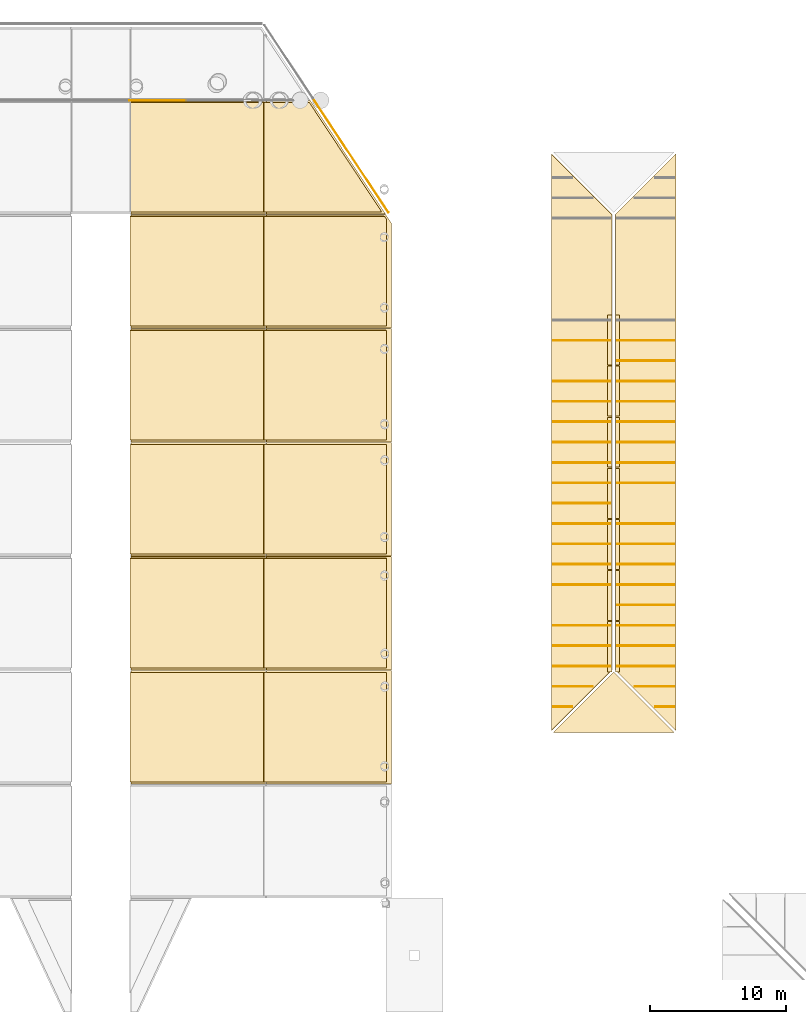
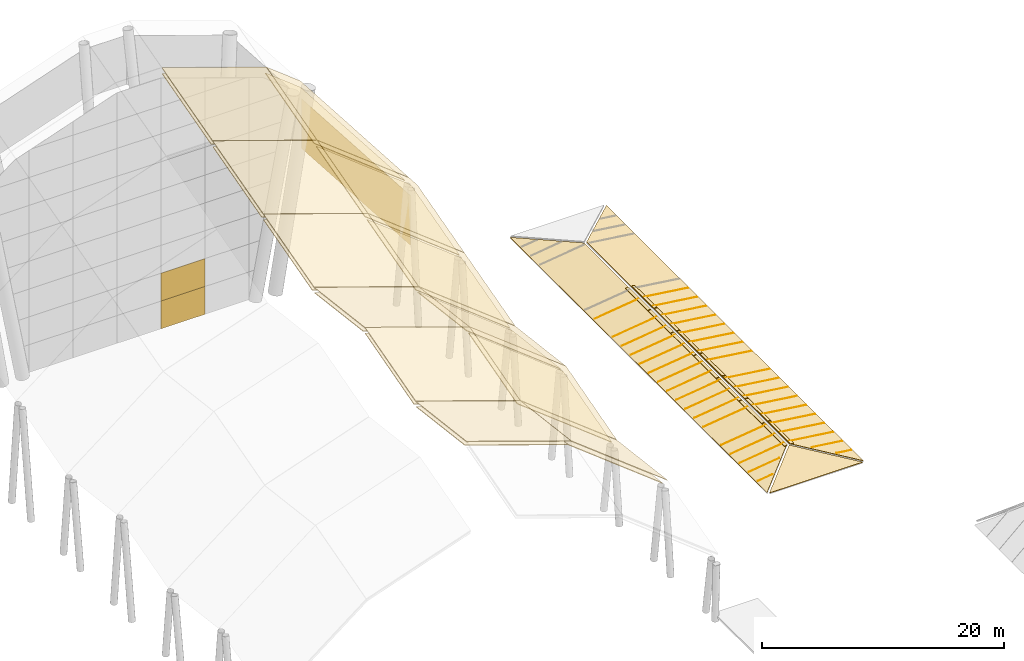
# One storey, part 7 of 8: 79 coverings.
"""IFC4 building model written with IfcOpenShell, lengths in metres."""

from ifc_helpers import new_model, si_unit, direction, frame, origin, place, context, subcontext, project, spatial, polyline, outline, extrude, material, layer, layer_set, type_object, element, save


model = new_model("IFC4")

# Units and contexts
model_context = context("Model", 3, precision=1e-05, world=origin(), true_north=direction((0.0, 1.0)))
body_context = subcontext(model_context, "Body", "Model", "MODEL_VIEW")
ifc_project = project(units=[si_unit("LENGTHUNIT", "METRE"), si_unit("AREAUNIT", "SQUARE_METRE"), si_unit("VOLUMEUNIT", "CUBIC_METRE"), si_unit("PLANEANGLEUNIT", "RADIAN"), si_unit("MASSUNIT", "GRAM", prefix="KILO")], contexts=[model_context])

# Site, building, storey
site_placement = place(None, origin())
site = spatial("IfcSite", under=ifc_project, at=site_placement, CompositionType="ELEMENT")
building_placement = place(site_placement, origin())
building = spatial("IfcBuilding", under=site, at=building_placement, Name="Sava Quay Ferry Terminal", CompositionType="ELEMENT")
storey_placement = place(building_placement, frame((0.0, 0.0, 18.0)))
storey = spatial("IfcBuildingStorey", under=building, at=storey_placement, Name="ROOF", CompositionType="ELEMENT", Elevation=18.0)

# Coverings
ifc_material_1 = material(Name="Glulam GL28h", Category="wood")
ifc_layer_1 = layer(ifc_material_1, 0.06005859375)
ifc_layer_set_1 = layer_set([ifc_layer_1], Name="Glulam GL28h")
covering_type_1 = type_object("IfcCoveringType", Name="Glulam soffit lining 60", PredefinedType="CEILING", material=ifc_layer_set_1)
covering_1_placement = place(storey_placement, frame((65.1591796875, 58.958740234375, 18.533447265625), z_axis=(0.323336229027, 0.116597025804, 0.939073381889), x_axis=(-4.550886e-06, 0.992380109283, -0.123214117208)))
element("IfcCovering", 1, at=covering_1_placement, inside=storey, type_object=covering_type_1, Name="Departure hall timber soffit lining bay 2 facet 4", PredefinedType="CEILING", context=body_context, shape_type="SweptSolid", body=[
    extrude(outline(polyline([(0.0, 0.0), (8.144566874911606, 5.551115123125783e-17), (8.562234771252694, -10.404636010580912), (0.4176378147695037, -10.404557672452759), (0.0, 0.0)])), origin(), (0.0, 0.0, -1.0), 0.06005859375),
])
covering_2_placement = place(storey_placement, frame((75.022216796875, 58.958740234375, 15.134033203125), z_axis=(0.612740245307, 0.097387075866, 0.784260893604), x_axis=(0.0, 0.992378084915, -0.123230420682)))
element("IfcCovering", 2, at=covering_2_placement, inside=storey, type_object=covering_type_1, Name="Departure hall timber soffit lining bay 2 facet 5", PredefinedType="CEILING", context=body_context, shape_type="SweptSolid", body=[
    extrude(outline(polyline([(0.0, 0.0), (8.144596957666648, 0.0), (9.014520691555138, -11.433100144625836), (0.8699237338884902, -11.433100144625836), (0.0, 0.0)])), origin(), (0.0, 0.0, -1.0), 0.06005859375),
])
covering_3_placement = place(storey_placement, frame((65.157958984375, 67.35400390625, 17.562744140625), z_axis=(0.314676338328, -0.25642845335, 0.913905493149), x_axis=(0.0, 0.962817557191, 0.270152459854)))
element("IfcCovering", 3, at=covering_3_placement, inside=storey, type_object=covering_type_1, Name="Departure hall timber soffit lining bay 3 facet 4", PredefinedType="CEILING", context=body_context, shape_type="SweptSolid", body=[
    extrude(outline(polyline([(0.0, 0.0), (8.404542434016312, 0.0), (7.488886525774535, -10.370585798684502), (-0.9156559082417766, -10.3705857986845), (0.0, 0.0)])), origin(), (0.0, 0.0, -1.0), 0.06005859375),
])
covering_4_placement = place(storey_placement, frame((75.01904296875, 67.35400390625, 14.163818359375), z_axis=(0.601145154914, -0.215889596729, 0.769425879957), x_axis=(0.0, 0.962817557191, 0.270152459854)))
element("IfcCovering", 4, at=covering_4_placement, inside=storey, type_object=covering_type_1, Name="Departure hall timber soffit lining bay 3 facet 5", PredefinedType="CEILING", context=body_context, shape_type="SweptSolid", body=[
    extrude(outline(polyline([(0.0, 0.0), (8.404542434016312, 0.0), (6.4975140589602915, -11.30610146613597), (-1.9070283750560204, -11.306101466135969), (0.0, 0.0)])), origin(), (0.0, 0.0, -1.0), 0.06005859375),
])
covering_5_placement = place(storey_placement, frame((65.1591796875, 75.7587890625, 19.84765625), z_axis=(0.323350396103, 0.116498655419, 0.939080712519), x_axis=(0.0, 0.992392741197, -0.123112335773)))
element("IfcCovering", 5, at=covering_5_placement, inside=storey, type_object=covering_type_1, Name="Departure hall timber soffit lining bay 4 facet 4", PredefinedType="CEILING", context=body_context, shape_type="SweptSolid", body=[
    extrude(outline(polyline([(0.0, 0.0), (8.144476673117172, 0.0), (8.561844323151812, -10.40464805950477), (0.4173676500346407, -10.404648059504769), (0.0, 0.0)])), origin(), (0.0, 0.0, -1.0), 0.06005859375),
])
covering_6_placement = place(storey_placement, frame((75.022216796875, 75.7587890625, 16.447998046875), z_axis=(0.612742880361, 0.097281838337, 0.784271895771), x_axis=(-7.202668e-06, 0.99239525968, -0.123092032694)))
element("IfcCovering", 6, at=covering_6_placement, inside=storey, type_object=covering_type_1, Name="Departure hall timber soffit lining bay 4 facet 5", PredefinedType="CEILING", context=body_context, shape_type="SweptSolid", body=[
    extrude(outline(polyline([(0.0, 0.0), (8.144446619435648, 0.0), (9.013358398396889, -11.43352077898389), (0.8688817271954468, -11.433372321017444), (0.0, 0.0)])), origin(), (0.0, 0.0, -1.0), 0.06005859375),
])
covering_7_placement = place(storey_placement, frame((65.157958984375, 84.154296875, 18.876220703125), z_axis=(0.315199027019, -0.25041905939, 0.915390554933), x_axis=(-4.198648e-06, 0.964557978091, 0.263871004249)))
element("IfcCovering", 7, at=covering_7_placement, inside=storey, type_object=covering_type_1, Name="Departure hall timber soffit lining bay 5 facet 4", PredefinedType="CEILING", context=body_context, shape_type="SweptSolid", body=[
    extrude(outline(polyline([(0.0, 0.0), (8.38864719370546, 0.0), (7.494175926014306, -10.372514243477077), (-0.8944068460592561, -10.37244001821224), (0.0, 0.0)])), origin(), (0.0, 0.0, -1.0), 0.06005859375),
])
covering_8_placement = place(storey_placement, frame((75.01904296875, 84.154296875, 15.477294921875), z_axis=(0.601834848765, -0.210731737619, 0.770316136123), x_axis=(-6.746281e-06, 0.96455700453, 0.263874562939)))
element("IfcCovering", 8, at=covering_8_placement, inside=storey, type_object=covering_type_1, Name="Departure hall timber soffit lining bay 5 facet 5", PredefinedType="CEILING", context=body_context, shape_type="SweptSolid", body=[
    extrude(outline(polyline([(0.0, 0.0), (8.388647193922665, 0.0), (6.525809630322505, -11.313813787694396), (-1.8627731410994421, -11.313672063427479), (0.0, 0.0)])), origin(), (0.0, 0.0, -1.0), 0.06005859375),
])
covering_9_placement = place(storey_placement, frame((65.157958984375, 92.554443359375, 21.17431640625), z_axis=(0.315199027019, -0.25041905939, 0.915390554933), x_axis=(4.19868e-06, 0.964558714023, 0.263868314099)))
element("IfcCovering", 9, at=covering_9_placement, inside=storey, type_object=covering_type_1, Name="Departure hall timber soffit lining bay 6 facet 4", PredefinedType="CEILING", context=body_context, shape_type="SweptSolid", body=[
    extrude(outline(polyline([(0.0, 0.0), (8.38858277240195, 0.0), (7.494267705540917, -10.372447931846839), (-0.8943794878361551, -10.3725221576817), (0.0, 0.0)])), origin(), (0.0, 0.0, -1.0), 0.06005859375),
])
covering_10_placement = place(storey_placement, frame((75.01904296875, 92.554443359375, 17.775390625), z_axis=(0.601835831185, -0.210733081527, 0.770315000926), x_axis=(7.706761e-06, 0.964559351254, 0.263865984638)))
element("IfcCovering", 10, at=covering_10_placement, inside=storey, type_object=covering_type_1, Name="Departure hall timber soffit lining bay 6 facet 5", PredefinedType="CEILING", context=body_context, shape_type="SweptSolid", body=[
    extrude(outline(polyline([(0.0, 0.0), (8.388582772458415, -2.220446049250313e-16), (6.554344694828603, -11.141573043487647), (6.310590428062946, -11.313733125170547), (-1.8626464175514255, -11.313845258666817), (0.0, 0.0)])), origin(), (0.0, 0.0, -1.0), 0.06005859375),
])
covering_11_placement = place(storey_placement, frame((65.157958984375, 100.954345703125, 23.47216796875), z_axis=(0.315199027019, -0.25041905939, 0.915390554933), x_axis=(-4.198648e-06, 0.964557978091, 0.263871004249)))
element("IfcCovering", 11, at=covering_11_placement, inside=storey, type_object=covering_type_1, Name="Departure hall timber soffit lining bay 7 facet 4", PredefinedType="CEILING", context=body_context, shape_type="SweptSolid", body=[
    extrude(outline(polyline([(0.0, 0.0), (8.38864719370546, 0.0), (7.494175926014306, -10.372514243477077), (-0.8944068460592561, -10.37244001821224), (0.0, 0.0)])), origin(), (0.0, 0.0, -1.0), 0.06005859375),
])
covering_12_placement = place(storey_placement, frame((75.01904296875, 100.954345703125, 20.0732421875), z_axis=(0.601825375367, -0.210746119595, 0.770319602918), x_axis=(1.051901e-06, 0.964554273916, 0.263884544202)))
element("IfcCovering", 12, at=covering_12_placement, inside=storey, type_object=covering_type_1, Name="Departure hall timber soffit lining bay 7 facet 5", PredefinedType="CEILING", context=body_context, shape_type="SweptSolid", body=[
    extrude(outline(polyline([(0.0, 0.0), (8.388647194436883, -2.220446049250313e-16), (7.69994812598826, -4.182885260178561), (-1.7923570424972928, -10.88599640084361), (0.0, 0.0)])), origin(), (0.0, 0.0, -1.0), 0.06005859375),
])
ifc_material_2 = material(Name="Zinc standing seam sheet")
ifc_layer_2 = layer(ifc_material_2, 0.050048828125)
ifc_layer_set_2 = layer_set([ifc_layer_2], Name="Zinc standing seam sheet")
covering_type_2 = type_object("IfcCoveringType", Name="Prow edge apron zinc 50", PredefinedType="CLADDING", material=ifc_layer_set_2)
covering_13_placement = place(storey_placement, frame((84.220947265625, 100.9462890625, 6.58642578125), z_axis=(0.833995524919, 0.551771206584, 0.0), x_axis=(-0.460672089896, 0.696300308613, 0.550406309753)))
element("IfcCovering", 13, at=covering_13_placement, inside=storey, type_object=covering_type_2, Name="Departure hall prow edge apron 3", PredefinedType="CLADDING", context=body_context, shape_type="SweptSolid", body=[
    extrude(outline(polyline([(0.0, 0.0), (12.063620021192186, -8.881784197001252e-16), (14.81565156995644, 4.1744846813236975), (2.752031548764255, 4.1744846813236975), (0.0, 0.0)])), origin(), (0.0, 0.0, -1.0), 0.050048828125),
])
ifc_material_3 = material(Name="Laminated glass", Category="glass")
ifc_layer_3 = layer(ifc_material_3, 0.0400390625)
ifc_layer_set_3 = layer_set([ifc_layer_3], Name="Laminated glass")
covering_type_3 = type_object("IfcCoveringType", Name="Prow end glazing 40", PredefinedType="CLADDING", material=ifc_layer_set_3)
covering_14_placement = place(storey_placement, frame((65.10009765625, 109.199951171875, -0.179931640625), z_axis=(0.0, 1.0, 0.0), x_axis=(0.0, 0.0, 1.0)))
element("IfcCovering", 14, at=covering_14_placement, inside=storey, type_object=covering_type_3, Name="Departure hall prow end glazing panel 20", PredefinedType="CLADDING", context=body_context, shape_type="SweptSolid", body=[
    extrude(outline(polyline([(0.0, 0.0), (2.813232421875, 0.0), (2.813232421875, 4.199951171875), (0.0, 4.199951171875), (0.0, 0.0)])), origin(), (0.0, 0.0, -1.0), 0.0400390625),
])
covering_15_placement = place(storey_placement, frame((65.10009765625, 109.199951171875, 2.63330078125), z_axis=(0.0, 1.0, 0.0), x_axis=(0.0, 0.0, 1.0)))
element("IfcCovering", 15, at=covering_15_placement, inside=storey, type_object=covering_type_3, Name="Departure hall prow end glazing panel 27", PredefinedType="CLADDING", context=body_context, shape_type="SweptSolid", body=[
    extrude(outline(polyline([(0.0, 0.0), (2.8134765625, 0.0), (2.8134765625, 4.199951171875), (0.0, 4.199951171875), (0.0, 0.0)])), origin(), (0.0, 0.0, -1.0), 0.0400390625),
])
ifc_material_4 = material(Name="Zinc standing seam")
ifc_layer_4 = layer(ifc_material_4, 0.06005859375)
ifc_layer_set_4 = layer_set([ifc_layer_4], Name="Zinc standing seam")
covering_type_4 = type_object("IfcCoveringType", Name="Roof ridge roll 300", PredefinedType="ROOFING", material=ifc_layer_set_4)
covering_16_placement = place(storey_placement, frame((100.941650390625, 67.06494140625, 1.20166015625), z_axis=(0.129891011138, 0.0, 0.991528277572), x_axis=(0.0, 1.0, 0.0)))
element("IfcCovering", 16, at=covering_16_placement, inside=storey, type_object=covering_type_4, Name="Ridge roll", PredefinedType="ROOFING", context=body_context, shape_type="SweptSolid", body=[
    extrude(outline(polyline([(0.0, 0.0), (3.723388671875, 0.0), (3.723388671875, -0.302612477033596), (0.0, -0.302612477033596), (0.0, 0.0)])), origin(), (0.0, 0.0, -1.0), 0.06005859375),
])
for number, where, z_axis, x_axis, name in (
    (17, (100.941650390625, 70.868408203125, 1.20166015625), (0.129891011138, 0.0, 0.991528277572), (0.0, 1.0, 0.0), "Ridge roll"),
    (18, (100.941650390625, 74.631591796875, 1.20166015625), (0.129891011138, 0.0, 0.991528277572), (0.0, 1.0, 0.0), "Ridge roll"),
    (19, (100.941650390625, 78.39501953125, 1.20166015625), (0.129891011138, 0.0, 0.991528277572), (0.0, 1.0, 0.0), "Ridge roll"),
):
    element("IfcCovering", number, at=place(storey_placement, frame(where, z_axis=z_axis, x_axis=x_axis)), inside=storey, type_object=covering_type_4, Name=name, PredefinedType="ROOFING", context=body_context, shape_type="SweptSolid", body=[
        extrude(outline(polyline([(0.0, 0.0), (3.683349609375, 0.0), (3.683349609375, -0.302612477033596), (0.0, -0.302612477033596), (0.0, 0.0)])), origin(), (0.0, 0.0, -1.0), 0.06005859375),
    ])
covering_17_placement = place(storey_placement, frame((100.941650390625, 82.158203125, 1.20166015625), z_axis=(0.129891011138, 0.0, 0.991528277572), x_axis=(0.0, 1.0, 0.0)))
element("IfcCovering", 20, at=covering_17_placement, inside=storey, type_object=covering_type_4, Name="Ridge roll", PredefinedType="ROOFING", context=body_context, shape_type="SweptSolid", body=[
    extrude(outline(polyline([(0.0, 0.0), (3.68359375, 0.0), (3.68359375, -0.30261247703359606), (0.0, -0.30261247703359606), (0.0, 0.0)])), origin(), (0.0, 0.0, -1.0), 0.06005859375),
])
for number, where, z_axis, x_axis, name in (
    (21, (100.941650390625, 85.921630859375, 1.20166015625), (0.129891011138, 0.0, 0.991528277572), (0.0, 1.0, 0.0), "Ridge roll"),
    (22, (100.941650390625, 89.68505859375, 1.20166015625), (0.129891011138, 0.0, 0.991528277572), (0.0, 1.0, 0.0), "Ridge roll"),
):
    element("IfcCovering", number, at=place(storey_placement, frame(where, z_axis=z_axis, x_axis=x_axis)), inside=storey, type_object=covering_type_4, Name=name, PredefinedType="ROOFING", context=body_context, shape_type="SweptSolid", body=[
        extrude(outline(polyline([(0.0, 0.0), (3.683349609375, 0.0), (3.683349609375, -0.302612477033596), (0.0, -0.302612477033596), (0.0, 0.0)])), origin(), (0.0, 0.0, -1.0), 0.06005859375),
    ])
covering_18_placement = place(storey_placement, frame((100.3583984375, 67.06494140625, 1.162353515625), z_axis=(-0.129891011138, 0.0, 0.991528277572), x_axis=(0.0, 1.0, 0.0)))
element("IfcCovering", 23, at=covering_18_placement, inside=storey, type_object=covering_type_4, Name="Ridge roll", PredefinedType="ROOFING", context=body_context, shape_type="SweptSolid", body=[
    extrude(outline(polyline([(0.0, 0.0), (3.723388671875, 0.0), (3.723388671875, -0.302612477033596), (0.0, -0.302612477033596), (0.0, 0.0)])), origin(), (0.0, 0.0, -1.0), 0.06005859375),
])
for number, where, z_axis, x_axis, name in (
    (24, (100.3583984375, 70.868408203125, 1.162353515625), (-0.129891011138, 0.0, 0.991528277572), (0.0, 1.0, 0.0), "Ridge roll"),
    (25, (100.3583984375, 74.631591796875, 1.162353515625), (-0.129891011138, 0.0, 0.991528277572), (0.0, 1.0, 0.0), "Ridge roll"),
    (26, (100.3583984375, 78.39501953125, 1.162353515625), (-0.129891011138, 0.0, 0.991528277572), (0.0, 1.0, 0.0), "Ridge roll"),
):
    element("IfcCovering", number, at=place(storey_placement, frame(where, z_axis=z_axis, x_axis=x_axis)), inside=storey, type_object=covering_type_4, Name=name, PredefinedType="ROOFING", context=body_context, shape_type="SweptSolid", body=[
        extrude(outline(polyline([(0.0, 0.0), (3.683349609375, 0.0), (3.683349609375, -0.302612477033596), (0.0, -0.302612477033596), (0.0, 0.0)])), origin(), (0.0, 0.0, -1.0), 0.06005859375),
    ])
covering_19_placement = place(storey_placement, frame((100.3583984375, 82.158203125, 1.162353515625), z_axis=(-0.129891011138, 0.0, 0.991528277572), x_axis=(0.0, 1.0, 0.0)))
element("IfcCovering", 27, at=covering_19_placement, inside=storey, type_object=covering_type_4, Name="Ridge roll", PredefinedType="ROOFING", context=body_context, shape_type="SweptSolid", body=[
    extrude(outline(polyline([(0.0, 0.0), (3.68359375, 0.0), (3.68359375, -0.30261247703359606), (0.0, -0.30261247703359606), (0.0, 0.0)])), origin(), (0.0, 0.0, -1.0), 0.06005859375),
])
for number, where, z_axis, x_axis, name in (
    (28, (100.3583984375, 85.921630859375, 1.162353515625), (-0.129891011138, 0.0, 0.991528277572), (0.0, 1.0, 0.0), "Ridge roll"),
    (29, (100.3583984375, 89.68505859375, 1.162353515625), (-0.129891011138, 0.0, 0.991528277572), (0.0, 1.0, 0.0), "Ridge roll"),
):
    element("IfcCovering", number, at=place(storey_placement, frame(where, z_axis=z_axis, x_axis=x_axis)), inside=storey, type_object=covering_type_4, Name=name, PredefinedType="ROOFING", context=body_context, shape_type="SweptSolid", body=[
        extrude(outline(polyline([(0.0, 0.0), (3.683349609375, 0.0), (3.683349609375, -0.302612477033596), (0.0, -0.302612477033596), (0.0, 0.0)])), origin(), (0.0, 0.0, -1.0), 0.06005859375),
    ])
ifc_material_5 = material(Name="Zinc standing seam")
ifc_layer_5 = layer(ifc_material_5, 0.0400390625)
ifc_layer_set_5 = layer_set([ifc_layer_5], Name="Zinc standing seam")
covering_type_5 = type_object("IfcCoveringType", Name="Roof seam rib 60", PredefinedType="ROOFING", material=ifc_layer_set_5)
for number, where, z_axis, x_axis, name in (
    (30, (105.25439453125, 91.469970703125, 0.61669921875), (0.129866150834, 0.0, 0.991531533975), (-0.991531533975, 0.0, 0.129866150834), "Roof seam rib"),
    (31, (105.25439453125, 89.969970703125, 0.61669921875), (0.129866150834, 0.0, 0.991531533975), (-0.991531533975, 0.0, 0.129866150834), "Roof seam rib"),
    (32, (105.25439453125, 88.469970703125, 0.61669921875), (0.129866150834, 0.0, 0.991531533975), (-0.991531533975, 0.0, 0.129866150834), "Roof seam rib"),
    (33, (105.25439453125, 86.969970703125, 0.61669921875), (0.129866150834, 0.0, 0.991531533975), (-0.991531533975, 0.0, 0.129866150834), "Roof seam rib"),
    (34, (105.25439453125, 85.469970703125, 0.61669921875), (0.129866150834, 0.0, 0.991531533975), (-0.991531533975, 0.0, 0.129866150834), "Roof seam rib"),
    (35, (105.25439453125, 83.969970703125, 0.61669921875), (0.129866150834, 0.0, 0.991531533975), (-0.991531533975, 0.0, 0.129866150834), "Roof seam rib"),
    (36, (105.25439453125, 82.469970703125, 0.61669921875), (0.129866150834, 0.0, 0.991531533975), (-0.991531533975, 0.0, 0.129866150834), "Roof seam rib"),
    (37, (105.25439453125, 80.969970703125, 0.61669921875), (0.129866150834, 0.0, 0.991531533975), (-0.991531533975, 0.0, 0.129866150834), "Roof seam rib"),
    (38, (105.25439453125, 77.969970703125, 0.61669921875), (0.129866150834, 0.0, 0.991531533975), (-0.991531533975, 0.0, 0.129866150834), "Roof seam rib"),
    (39, (105.25439453125, 76.469970703125, 0.61669921875), (0.129866150834, 0.0, 0.991531533975), (-0.991531533975, 0.0, 0.129866150834), "Roof seam rib"),
    (40, (105.25439453125, 74.969970703125, 0.61669921875), (0.129866150834, 0.0, 0.991531533975), (-0.991531533975, 0.0, 0.129866150834), "Roof seam rib"),
    (41, (105.25439453125, 73.469970703125, 0.61669921875), (0.129866150834, 0.0, 0.991531533975), (-0.991531533975, 0.0, 0.129866150834), "Roof seam rib"),
    (42, (105.25439453125, 71.969970703125, 0.61669921875), (0.129866150834, 0.0, 0.991531533975), (-0.991531533975, 0.0, 0.129866150834), "Roof seam rib"),
    (43, (105.25439453125, 70.469970703125, 0.61669921875), (0.129866150834, 0.0, 0.991531533975), (-0.991531533975, 0.0, 0.129866150834), "Roof seam rib"),
    (44, (105.25439453125, 68.969970703125, 0.61669921875), (0.129866150834, 0.0, 0.991531533975), (-0.991531533975, 0.0, 0.129866150834), "Roof seam rib"),
    (45, (105.25439453125, 67.469970703125, 0.61669921875), (0.129866150834, 0.0, 0.991531533975), (-0.991531533975, 0.0, 0.129866150834), "Roof seam rib"),
):
    element("IfcCovering", number, at=place(storey_placement, frame(where, z_axis=z_axis, x_axis=x_axis)), inside=storey, type_object=covering_type_5, Name=name, PredefinedType="ROOFING", context=body_context, shape_type="SweptSolid", body=[
        extrude(outline(polyline([(0.0, 0.0), (4.218586282732325, 0.0), (4.218586282732325, -0.06005859375), (0.0, -0.06005859375), (0.0, 0.0)])), origin(), (0.0, 0.0, -1.0), 0.0400390625),
    ])
covering_20_placement = place(storey_placement, frame((105.25439453125, 65.969970703125, 0.61669921875), z_axis=(0.129888740755, 0.0, 0.991528574992), x_axis=(-0.991528574992, 0.0, 0.129888740755)))
element("IfcCovering", 46, at=covering_20_placement, inside=storey, type_object=covering_type_5, Name="Roof seam rib", PredefinedType="ROOFING", context=body_context, shape_type="SweptSolid", body=[
    extrude(outline(polyline([(0.0, 0.0), (2.9246785386636347, 0.0), (2.9246785386636347, -0.06005859375), (0.0, -0.06005859375), (0.0, 0.0)])), origin(), (0.0, 0.0, -1.0), 0.0400390625),
])
covering_21_placement = place(storey_placement, frame((105.25439453125, 64.469970703125, 0.61669921875), z_axis=(0.129864037305, 0.0, 0.991531810793), x_axis=(-0.991531810793, 0.0, 0.129864037305)))
element("IfcCovering", 47, at=covering_21_placement, inside=storey, type_object=covering_type_5, Name="Roof seam rib", PredefinedType="ROOFING", context=body_context, shape_type="SweptSolid", body=[
    extrude(outline(polyline([(0.0, 0.0), (1.4118582263438169, 0.0), (1.4118582263438169, -0.06005859375), (0.0, -0.06005859375), (0.0, 0.0)])), origin(), (0.0, 0.0, -1.0), 0.0400390625),
])
covering_22_placement = place(storey_placement, frame((96.345703125, 64.530029296875, 0.61669921875), z_axis=(-0.129886307209, 0.0, 0.99152889378), x_axis=(0.99152889378, 0.0, 0.129886307209)))
element("IfcCovering", 48, at=covering_22_placement, inside=storey, type_object=covering_type_5, Name="Roof seam rib", PredefinedType="ROOFING", context=body_context, shape_type="SweptSolid", body=[
    extrude(outline(polyline([(0.0, 0.0), (1.4116161535038725, 0.0), (1.4116161535038725, -0.06005859375), (0.0, -0.06005859375), (0.0, 0.0)])), origin(), (0.0, 0.0, -1.0), 0.0400390625),
])
covering_23_placement = place(storey_placement, frame((96.345703125, 66.030029296875, 0.61669921875), z_axis=(-0.129899492385, 0.0, 0.991527166485), x_axis=(0.991527166485, 0.0, 0.129899492385)))
element("IfcCovering", 49, at=covering_23_placement, inside=storey, type_object=covering_type_5, Name="Roof seam rib", PredefinedType="ROOFING", context=body_context, shape_type="SweptSolid", body=[
    extrude(outline(polyline([(0.0, 0.0), (2.9244364664295603, 0.0), (2.9244364664295603, -0.06005859374999999), (0.0, -0.06005859374999999), (0.0, 0.0)])), origin(), (0.0, 0.0, -1.0), 0.0400390625),
])
for number, where, z_axis, x_axis, name in (
    (50, (96.345703125, 67.530029296875, 0.61669921875), (-0.129873603306, 0.0, 0.991530557857), (0.991530557857, 0.0, 0.129873603306), "Roof seam rib"),
    (51, (96.345703125, 69.030029296875, 0.61669921875), (-0.129873603306, 0.0, 0.991530557857), (0.991530557857, 0.0, 0.129873603306), "Roof seam rib"),
    (52, (96.345703125, 70.530029296875, 0.61669921875), (-0.129873603306, 0.0, 0.991530557857), (0.991530557857, 0.0, 0.129873603306), "Roof seam rib"),
    (53, (96.345703125, 73.530029296875, 0.61669921875), (-0.129873603306, 0.0, 0.991530557857), (0.991530557857, 0.0, 0.129873603306), "Roof seam rib"),
    (54, (96.345703125, 75.030029296875, 0.61669921875), (-0.129873603306, 0.0, 0.991530557857), (0.991530557857, 0.0, 0.129873603306), "Roof seam rib"),
    (55, (96.345703125, 76.530029296875, 0.61669921875), (-0.129873603306, 0.0, 0.991530557857), (0.991530557857, 0.0, 0.129873603306), "Roof seam rib"),
    (56, (96.345703125, 78.030029296875, 0.61669921875), (-0.129873603306, 0.0, 0.991530557857), (0.991530557857, 0.0, 0.129873603306), "Roof seam rib"),
    (57, (96.345703125, 79.530029296875, 0.61669921875), (-0.129873603306, 0.0, 0.991530557857), (0.991530557857, 0.0, 0.129873603306), "Roof seam rib"),
    (58, (96.345703125, 81.030029296875, 0.61669921875), (-0.129873603306, 0.0, 0.991530557857), (0.991530557857, 0.0, 0.129873603306), "Roof seam rib"),
    (59, (96.345703125, 82.530029296875, 0.61669921875), (-0.129873603306, 0.0, 0.991530557857), (0.991530557857, 0.0, 0.129873603306), "Roof seam rib"),
    (60, (96.345703125, 84.030029296875, 0.61669921875), (-0.129873603306, 0.0, 0.991530557857), (0.991530557857, 0.0, 0.129873603306), "Roof seam rib"),
    (61, (96.345703125, 85.530029296875, 0.61669921875), (-0.129873603306, 0.0, 0.991530557857), (0.991530557857, 0.0, 0.129873603306), "Roof seam rib"),
    (62, (96.345703125, 87.030029296875, 0.61669921875), (-0.129873603306, 0.0, 0.991530557857), (0.991530557857, 0.0, 0.129873603306), "Roof seam rib"),
    (63, (96.345703125, 88.530029296875, 0.61669921875), (-0.129873603306, 0.0, 0.991530557857), (0.991530557857, 0.0, 0.129873603306), "Roof seam rib"),
    (64, (96.345703125, 91.530029296875, 0.61669921875), (-0.129873603306, 0.0, 0.991530557857), (0.991530557857, 0.0, 0.129873603306), "Roof seam rib"),
):
    element("IfcCovering", number, at=place(storey_placement, frame(where, z_axis=z_axis, x_axis=x_axis)), inside=storey, type_object=covering_type_5, Name=name, PredefinedType="ROOFING", context=body_context, shape_type="SweptSolid", body=[
        extrude(outline(polyline([(0.0, 0.0), (4.218344209723065, 0.0), (4.218344209723065, -0.060058593750000014), (0.0, -0.060058593750000014), (0.0, 0.0)])), origin(), (0.0, 0.0, -1.0), 0.0400390625),
    ])
ifc_material_6 = material(Name="Zinc standing seam sheet")
ifc_layer_6 = layer(ifc_material_6, 0.0400390625)
ifc_layer_set_6 = layer_set([ifc_layer_6], Name="Zinc standing seam sheet")
covering_type_6 = type_object("IfcCoveringType", Name="Standing seam roofing 40", PredefinedType="ROOFING", material=ifc_layer_set_6)
covering_24_placement = place(storey_placement, frame((65.227294921875, 58.81005859375, 18.965087890625), z_axis=(0.323343314148, 0.116604027819, 0.93907007294), x_axis=(0.0, 0.992378959789, -0.123223375091)))
element("IfcCovering", 65, at=covering_24_placement, inside=storey, type_object=covering_type_6, Name="Departure hall roofing bay 2 facet 4", PredefinedType="ROOFING", context=body_context, shape_type="SweptSolid", body=[
    extrude(outline(polyline([(0.0, 0.0), (8.4442366797908, -5.551115123125783e-17), (8.867456025683977, -10.541103418283331), (0.42321934589317667, -10.541103418283333), (0.0, 0.0)])), origin(), (0.0, 0.0, -1.0), 0.0400390625),
])
covering_25_placement = place(storey_placement, frame((75.219482421875, 58.81005859375, 15.521240234375), z_axis=(0.612732851515, 0.097382214243, 0.784267273972), x_axis=(0.0, 0.992378959789, -0.123223375091)))
element("IfcCovering", 66, at=covering_25_placement, inside=storey, type_object=covering_type_6, Name="Departure hall roofing bay 2 facet 5", PredefinedType="ROOFING", context=body_context, shape_type="SweptSolid", body=[
    extrude(outline(polyline([(0.0, 0.0), (8.4442366797908, 0.0), (9.330686867883516, -11.651118487186757), (0.8864501880927171, -11.651118487186757), (0.0, 0.0)])), origin(), (0.0, 0.0, -1.0), 0.0400390625),
])
covering_26_placement = place(storey_placement, frame((65.22412109375, 67.2099609375, 17.9482421875), z_axis=(0.314689477842, -0.256425038834, 0.913901926902), x_axis=(0.0, 0.962818218662, 0.270150102373)))
element("IfcCovering", 67, at=covering_26_placement, inside=storey, type_object=covering_type_6, Name="Departure hall roofing bay 3 facet 4", PredefinedType="ROOFING", context=body_context, shape_type="SweptSolid", body=[
    extrude(outline(polyline([(0.0, 0.0), (8.703747800667596, -2.220446049250313e-16), (7.776294006829105, -10.50386722357002), (-0.9274537938384919, -10.50386722357002), (0.0, 0.0)])), origin(), (0.0, 0.0, -1.0), 0.0400390625),
])
covering_27_placement = place(storey_placement, frame((75.211669921875, 67.2099609375, 14.505615234375), z_axis=(0.601139927237, -0.215899165104, 0.769427279468), x_axis=(-6.486996e-06, 0.962813252252, 0.270167802015)))
element("IfcCovering", 68, at=covering_27_placement, inside=storey, type_object=covering_type_6, Name="Departure hall roofing bay 3 facet 5", PredefinedType="ROOFING", context=body_context, shape_type="SweptSolid", body=[
    extrude(outline(polyline([(0.0, 0.0), (8.70381375794982, 4.440892098500626e-16), (6.760273980006003, -11.521480147166397), (-1.94347381900778, -11.521338842457446), (0.0, 0.0)])), origin(), (0.0, 0.0, -1.0), 0.0400390625),
])
covering_28_placement = place(storey_placement, frame((65.227294921875, 75.610107421875, 20.279052734375), z_axis=(0.323337662824, 0.116483016523, 0.939087036787), x_axis=(-4.389545e-06, 0.992395046119, -0.123093754594)))
element("IfcCovering", 69, at=covering_28_placement, inside=storey, type_object=covering_type_6, Name="Departure hall roofing bay 4 facet 4", PredefinedType="ROOFING", context=body_context, shape_type="SweptSolid", body=[
    extrude(outline(polyline([(0.0, 0.0), (8.44408634674818, -5.551115123125783e-17), (8.866816716859859, -10.541123038401883), (0.42270031792549884, -10.541044698751952), (0.0, 0.0)])), origin(), (0.0, 0.0, -1.0), 0.0400390625),
])
covering_29_placement = place(storey_placement, frame((75.219482421875, 75.610107421875, 16.835205078125), z_axis=(0.612738302549, 0.097291683978, 0.784274251023), x_axis=(0.0, 0.992393095437, -0.123109480258)))
element("IfcCovering", 70, at=covering_29_placement, inside=storey, type_object=covering_type_6, Name="Departure hall roofing bay 4 facet 5", PredefinedType="ROOFING", context=body_context, shape_type="SweptSolid", body=[
    extrude(outline(polyline([(0.0, 0.0), (8.444116400075877, 0.0), (9.329747246090857, -11.651180796083349), (0.8856308460149803, -11.651180796083349), (0.0, 0.0)])), origin(), (0.0, 0.0, -1.0), 0.0400390625),
])
covering_30_placement = place(storey_placement, frame((65.224365234375, 84.010009765625, 19.26171875), z_axis=(0.31519450594, -0.250423074649, 0.915391013233), x_axis=(0.0, 0.964557302837, 0.263873472603)))
element("IfcCovering", 71, at=covering_30_placement, inside=storey, type_object=covering_type_6, Name="Departure hall roofing bay 5 facet 4", PredefinedType="ROOFING", context=body_context, shape_type="SweptSolid", body=[
    extrude(outline(polyline([(0.0, 0.0), (8.687801945879816, 0.0), (7.781896484026984, -10.505979288617056), (-0.9059054618528322, -10.505979288617056), (0.0, 0.0)])), origin(), (0.0, 0.0, -1.0), 0.0400390625),
])
covering_31_placement = place(storey_placement, frame((75.212158203125, 84.010009765625, 15.8193359375), z_axis=(0.601840645252, -0.210733630437, 0.770311089577), x_axis=(0.0, 0.964557302837, 0.263873472603)))
element("IfcCovering", 72, at=covering_31_placement, inside=storey, type_object=covering_type_6, Name="Departure hall roofing bay 5 facet 5", PredefinedType="ROOFING", context=body_context, shape_type="SweptSolid", body=[
    extrude(outline(polyline([(0.0, 0.0), (8.687801945879816, 0.0), (6.789600805679724, -11.529036563831522), (-1.8982011402000922, -11.529036563831522), (0.0, 0.0)])), origin(), (0.0, 0.0, -1.0), 0.0400390625),
])
covering_32_placement = place(storey_placement, frame((65.224365234375, 92.409912109375, 21.559814453125), z_axis=(0.315195081793, -0.250416236506, 0.915392685631), x_axis=(0.0, 0.964559259446, 0.263866320355)))
element("IfcCovering", 73, at=covering_32_placement, inside=storey, type_object=covering_type_6, Name="Departure hall roofing bay 6 facet 4", PredefinedType="ROOFING", context=body_context, shape_type="SweptSolid", body=[
    extrude(outline(polyline([(0.0, 0.0), (8.688037433741426, 1.1102230246251565e-16), (7.782156526310887, -10.505981405857243), (-0.9058809074305404, -10.505981405857243), (0.0, 0.0)])), origin(), (0.0, 0.0, -1.0), 0.0400390625),
])
covering_33_placement = place(storey_placement, frame((75.212158203125, 92.409912109375, 18.1171875), z_axis=(0.601832696365, -0.210724973276, 0.770319668205), x_axis=(-2.823905e-06, 0.964560248215, 0.263862705882)))
element("IfcCovering", 74, at=covering_33_placement, inside=storey, type_object=covering_type_6, Name="Departure hall roofing bay 6 facet 5", PredefinedType="ROOFING", context=body_context, shape_type="SweptSolid", body=[
    extrude(outline(polyline([(0.0, 0.0), (8.688037433645787, -2.220446049250313e-16), (6.8774996081659845, -10.997041347083838), (6.1242357087690715, -11.528978868498196), (-1.8980852695445407, -11.528903309657007), (0.0, 0.0)])), origin(), (0.0, 0.0, -1.0), 0.0400390625),
])
covering_34_placement = place(storey_placement, frame((65.224365234375, 100.81005859375, 23.857666015625), z_axis=(0.315192400802, -0.250448071056, 0.915384899472), x_axis=(0.0, 0.964550150101, 0.263899617166)))
element("IfcCovering", 75, at=covering_34_placement, inside=storey, type_object=covering_type_6, Name="Departure hall roofing bay 7 facet 4", PredefinedType="ROOFING", context=body_context, shape_type="SweptSolid", body=[
    extrude(outline(polyline([(0.0, 0.0), (8.687866371305825, 0.0), (7.781871152412979, -10.505971548695943), (-0.9059952188928464, -10.505971548695943), (0.0, 0.0)])), origin(), (0.0, 0.0, -1.0), 0.0400390625),
])
covering_35_placement = place(storey_placement, frame((75.212158203125, 100.81005859375, 20.415283203125), z_axis=(0.601838392531, -0.210730776585, 0.770313630332), x_axis=(-2.060178e-06, 0.964558024204, 0.263870835712)))
element("IfcCovering", 76, at=covering_35_placement, inside=storey, type_object=covering_type_6, Name="Departure hall roofing bay 7 facet 5", PredefinedType="ROOFING", context=body_context, shape_type="SweptSolid", body=[
    extrude(outline(polyline([(0.0, 0.0), (8.687801945828916, 4.440892098500626e-16), (8.022900063421982, -4.0383695221507265), (-1.8078811675121977, -10.980552142375618), (0.0, 0.0)])), origin(), (0.0, 0.0, -1.0), 0.0400390625),
])
covering_36_placement = place(storey_placement, frame((96.338134765625, 62.595703125, 0.556884765625), z_axis=(0.0, -0.129828558837, 0.991536456874), x_axis=(0.704095392112, 0.704095392112, 0.092191960677)))
element("IfcCovering", 77, at=covering_36_placement, inside=storey, type_object=covering_type_6, Name="Mansard roofing O-U0", PredefinedType="ROOFING", context=body_context, shape_type="SweptSolid", body=[
    extrude(outline(polyline([(0.0, 0.0), (6.337087435150307, 2.7755575615628914e-16), (6.28305436452262, -6.336685172757698), (0.0, 0.0)])), origin(), (0.0, 0.0, -1.0), 0.0400390625),
])
for number, where, z_axis, x_axis, name in (
    (78, (105.404296875, 62.73828125, 0.556884765625), (0.129821676844, 0.0, 0.991537357956), (-0.704095714762, 0.704095714762, 0.092187032204), "Mansard roofing O-U1"),
    (79, (96.19580078125, 105.26171875, 0.556884765625), (-0.129821676844, 0.0, 0.991537357956), (0.704095714762, -0.704095714762, 0.092187032204), "Mansard roofing O-U3"),
):
    element("IfcCovering", number, at=place(storey_placement, frame(where, z_axis=z_axis, x_axis=x_axis)), inside=storey, type_object=covering_type_6, Name=name, PredefinedType="ROOFING", context=body_context, shape_type="SweptSolid", body=[
        extrude(outline(polyline([(0.0, 0.0), (6.366557730205459, -4.510281037539698e-16), (29.994675986296496, -23.829781164079673), (29.94057012071611, -30.1961089821667), (0.0, 0.0)])), origin(), (0.0, 0.0, -1.0), 0.0400390625),
    ])

save(model, "model.ifc")
